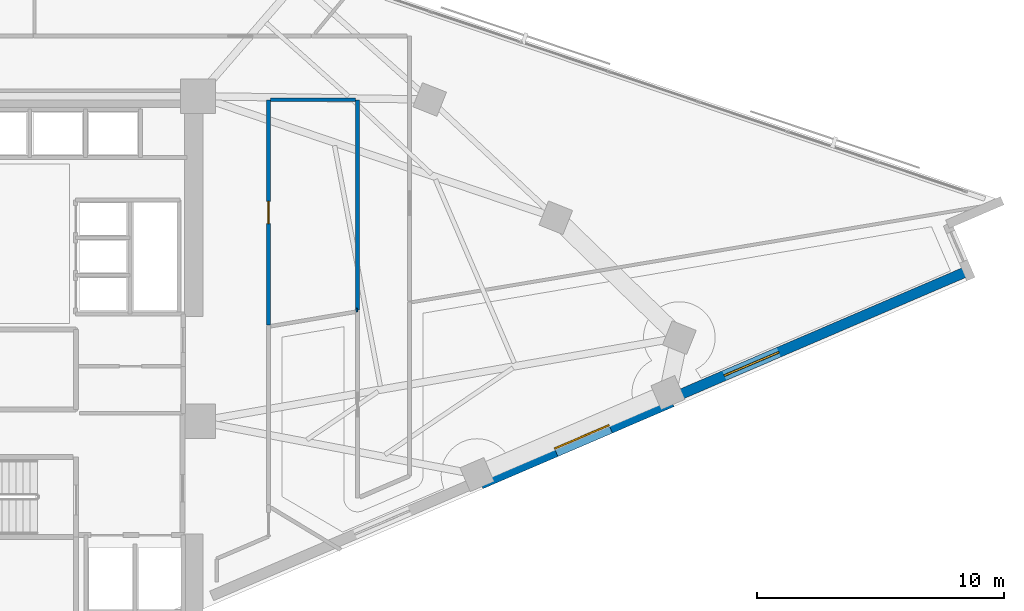
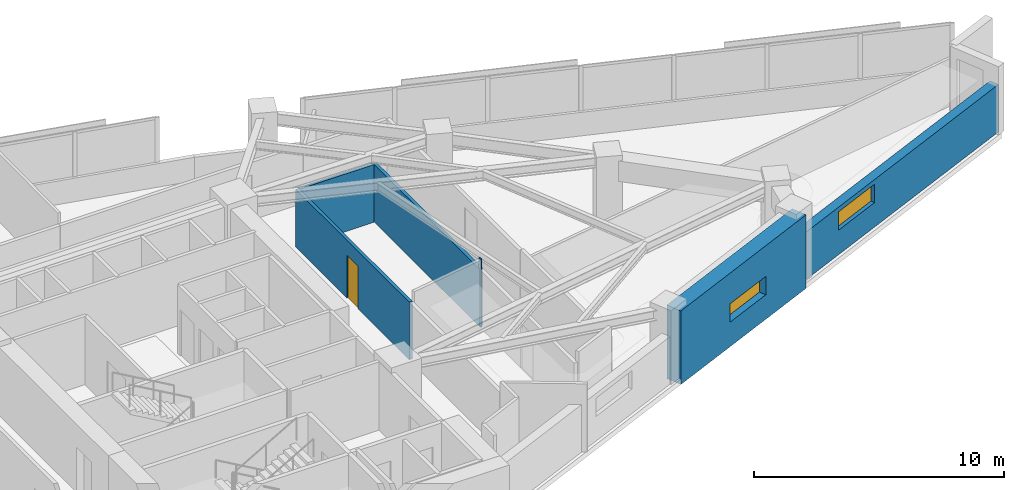
# One storey, part 11 of 14: 6 walls, 2 windows, 1 door, 3 openings.
"""IFC4 building model written with IfcOpenShell, lengths in metres."""

from ifc_helpers import new_model, si_unit, direction, frame, frame_2d, origin, place, context, subcontext, project, spatial, rectangle, extrude, material, layer, layer_set, type_object, element, fill, save


model = new_model("IFC4")

# Units and contexts
model_context = context("Model", 3, precision=1e-05, world=origin(), true_north=direction((0.0, 1.0)))
body_context = subcontext(model_context, "Body", "Model", "MODEL_VIEW")
ifc_project = project(units=[si_unit("LENGTHUNIT", "METRE"), si_unit("AREAUNIT", "SQUARE_METRE"), si_unit("VOLUMEUNIT", "CUBIC_METRE"), si_unit("PLANEANGLEUNIT", "RADIAN"), si_unit("MASSUNIT", "GRAM", prefix="KILO")], contexts=[model_context])

# Site, building, storey
site_placement = place(None, origin())
site = spatial("IfcSite", under=ifc_project, at=site_placement, CompositionType="ELEMENT")
building_placement = place(site_placement, origin())
building = spatial("IfcBuilding", under=site, at=building_placement, Name="Narakoshi Arena Tower", CompositionType="ELEMENT")
storey_placement = place(building_placement, frame((0.0, 0.0, 168.300048828125)))
storey = spatial("IfcBuildingStorey", under=building, at=storey_placement, Name="L45", CompositionType="ELEMENT", Elevation=168.300048828125)

# Wall, opening, window
ifc_material_1 = material(Name="Concrete C60/75", Category="concrete")
ifc_layer_1 = layer(ifc_material_1, 0.699951171875)
ifc_layer_set_1 = layer_set([ifc_layer_1], Name="Concrete C60/75")
wall_type_1 = type_object("IfcWallType", Name="WL-LEG-700", PredefinedType="SHEAR", material=ifc_layer_set_1)
wall_1_placement = place(storey_placement, frame((96.936767578125, 40.951904296875, -0.260009765625), z_axis=(0.0, 0.0, 1.0), x_axis=(0.918782407933, 0.394764343468, 0.0)))
wall_1 = element("IfcWall", 1, at=wall_1_placement, inside=storey, type_object=wall_type_1, Name="L45 Architectural Concrete Structural Wall LEGA-3", PredefinedType="SHEAR", context=body_context, shape_type="SweptSolid", body=[
    extrude(rectangle(XDim=8.401611328125, YDim=0.699951171875, at=frame_2d((4.20068359375, 0.0))), origin(), (0.0, 0.0, 1.0), 3.599853515625),
])
opening_1_placement = place(wall_1_placement, frame((3.2939453125, 0.0, 1.199951171875)))
opening_1 = element("IfcOpeningElement", 2, at=opening_1_placement, cuts=wall_1, Name="Opening WN-01", PredefinedType="OPENING", context=body_context, shape_type="SweptSolid", body=[
    extrude(rectangle(XDim=2.39990234375, YDim=0.89990234375, at=frame_2d((1.199951171875, 0.449951171875))), frame((0.0, 0.35986328125, 0.0), z_axis=(0.0, -1.0, 0.0), x_axis=(1.0, 0.0, 0.0)), (0.0, 0.0, 1.0), 0.719970703125),
])
ifc_material_2 = material(Name="Bronze-tinted low-E laminated glass", Category="glass")
window_type = type_object("IfcWindowType", Name="WIN-SLT-24x09", PartitioningType="SINGLE_PANEL", PredefinedType="WINDOW", material=ifc_material_2)
window_1_placement = place(opening_1_placement, origin())
window_1 = element("IfcWindow", 3, at=window_1_placement, inside=storey, type_object=window_type, Name="L45 LEGA3 Horizontal Slot Window 1", OverallHeight=0.89990234375, OverallWidth=2.39990234375, PartitioningType="SINGLE_PANEL", PredefinedType="WINDOW", context=body_context, shape_type="SweptSolid", body=[
    extrude(rectangle(XDim=2.39990234375, YDim=0.89990234375, at=frame_2d((1.199951171875, 0.449951171875))), frame((0.0, 0.030029296875, 0.0), z_axis=(0.0, -1.0, 0.0), x_axis=(1.0, 0.0, 0.0)), (0.0, 0.0, 1.0), 0.06005859375),
])
fill(opening_1, window_1)

ifc_material_3 = material(Name="Precast concrete C45/55", Category="concrete")
ifc_layer_2 = layer(ifc_material_3, 0.419921875)
ifc_layer_set_2 = layer_set([ifc_layer_2], Name="Precast concrete C45/55")
wall_type_2 = type_object("IfcWallType", Name="WL-POD-420", PredefinedType="SOLIDWALL", material=ifc_layer_set_2)
wall_2_placement = place(storey_placement, frame((104.656005859375, 44.2685546875, 0.0), z_axis=(0.0, 0.0, 1.0), x_axis=(0.918789071809, 0.394748833467, 0.0)))
wall_2 = element("IfcWall", 4, at=wall_2_placement, inside=storey, type_object=wall_type_2, Name="L45 Architectural Concrete Facade Wall LEGA-4", PredefinedType="SOLIDWALL", context=body_context, shape_type="SweptSolid", body=[
    extrude(rectangle(XDim=13.06884765625, YDim=0.419921875, at=frame_2d((6.534423828125, 0.0))), origin(), (0.0, 0.0, 1.0), 2.324951171875),
])
opening_2_placement = place(wall_2_placement, frame((2.362060546875, 0.0, 1.199951171875)))
opening_2 = element("IfcOpeningElement", 5, at=opening_2_placement, cuts=wall_2, Name="Opening WN-01", PredefinedType="OPENING", context=body_context, shape_type="SweptSolid", body=[
    extrude(rectangle(XDim=2.39990234375, YDim=0.89990234375, at=frame_2d((1.199951171875, 0.449951171875))), frame((0.0, 0.219970703125, 0.0), z_axis=(0.0, -1.0, 0.0), x_axis=(1.0, 0.0, 0.0)), (0.0, 0.0, 1.0), 0.43994140625),
])
window_2_placement = place(opening_2_placement, origin())
window_2 = element("IfcWindow", 6, at=window_2_placement, inside=storey, type_object=window_type, Name="L45 LEGA4 Horizontal Slot Window 1", OverallHeight=0.89990234375, OverallWidth=2.39990234375, PartitioningType="SINGLE_PANEL", PredefinedType="WINDOW", context=body_context, shape_type="SweptSolid", body=[
    extrude(rectangle(XDim=2.39990234375, YDim=0.89990234375, at=frame_2d((1.199951171875, 0.449951171875))), frame((0.0, 0.030029296875, 0.0), z_axis=(0.0, -1.0, 0.0), x_axis=(1.0, 0.0, 0.0)), (0.0, 0.0, 1.0), 0.06005859375),
])
fill(opening_2, window_2)

# Wall, opening, door
ifc_material_4 = material(Name="Moisture-resistant cement-board partition")
ifc_layer_3 = layer(ifc_material_4, 0.14501953125)
ifc_layer_set_3 = layer_set([ifc_layer_3], Name="Moisture-resistant cement-board partition")
wall_type_3 = type_object("IfcWallType", Name="WL-WET-145", PredefinedType="PARTITIONING", material=ifc_layer_set_3)
wall_3_placement = place(storey_placement, frame((88.39990234375, 47.244384765625, 0.0), z_axis=(0.0, 0.0, 1.0), x_axis=(0.0, 1.0, 0.0)))
wall_3 = element("IfcWall", 7, at=wall_3_placement, inside=storey, type_object=wall_type_3, Name="L45 Corridor Partition 06-1", PredefinedType="PARTITIONING", context=body_context, shape_type="SweptSolid", body=[
    extrude(rectangle(XDim=9.105712890625, YDim=0.14501953125, at=frame_2d((4.552734375, 0.0))), origin(), (0.0, 0.0, 1.0), 2.824951171875),
])
opening_3_placement = place(wall_3_placement, frame((4.102783203125, 0.0, 0.0)))
opening_3 = element("IfcOpeningElement", 8, at=opening_3_placement, cuts=wall_3, Name="Opening D-08", PredefinedType="OPENING", context=body_context, shape_type="SweptSolid", body=[
    extrude(rectangle(XDim=0.89990234375, YDim=2.10009765625, at=frame_2d((0.449951171875, 1.050048828125))), frame((0.0, 0.08251953125, 0.0), z_axis=(0.0, -1.0, 0.0), x_axis=(1.0, 0.0, 0.0)), (0.0, 0.0, 1.0), 0.1650390625),
])
ifc_material_5 = material(Name="Moisture-resistant laminate timber", Category="wood")
door_type = type_object("IfcDoorType", Name="DR-WC-900", OperationType="NOTDEFINED", PredefinedType="DOOR", material=ifc_material_5)
door_placement = place(opening_3_placement, frame((0.89990234375, 0.0, 0.0), z_axis=(0.0, 0.0, 1.0), x_axis=(-1.0, 0.0, 0.0)))
door = element("IfcDoor", 9, at=door_placement, inside=storey, type_object=door_type, Name="DR-L45-018", OperationType="SINGLE_SWING_LEFT", OverallHeight=2.10009765625, OverallWidth=0.89990234375, PredefinedType="DOOR", context=body_context, shape_type="SweptSolid", body=[
    extrude(rectangle(XDim=0.89990234375, YDim=2.10009765625, at=frame_2d((0.449951171875, 1.050048828125))), frame((0.0, 0.02490234375, 0.0), z_axis=(0.0, -1.0, 0.0), x_axis=(1.0, 0.0, 0.0)), (0.0, 0.0, 1.0), 0.050048828125),
])
fill(opening_3, door)

# Walls
wall_4_placement = place(storey_placement, frame((91.996337890625, 56.35009765625, 0.0), z_axis=(0.0, 0.0, 1.0), x_axis=(0.0, -1.0, 0.0)))
element("IfcWall", 10, at=wall_4_placement, inside=storey, type_object=wall_type_3, Name="L45 Corridor Partition 06-2", PredefinedType="PARTITIONING", context=body_context, shape_type="SweptSolid", body=[
    extrude(rectangle(XDim=8.494140625, YDim=0.14501953125, at=frame_2d((4.2470703125, 0.0))), origin(), (0.0, 0.0, 1.0), 2.824951171875),
])
wall_5_placement = place(storey_placement, frame((88.484619140625, 56.35009765625, 0.0), z_axis=(0.0, 0.0, 1.0), x_axis=(1.0, 0.0, 0.0)))
element("IfcWall", 11, at=wall_5_placement, inside=storey, type_object=wall_type_3, Name="L45 Corridor Partition 06-3", PredefinedType="PARTITIONING", context=body_context, shape_type="SweptSolid", body=[
    extrude(rectangle(XDim=3.42724609375, YDim=0.14501953125, at=frame_2d((1.713623046875, 0.0))), origin(), (0.0, 0.0, 1.0), 2.824951171875),
])
wall_6_placement = place(storey_placement, frame((91.996337890625, 47.85595703125, 0.0), z_axis=(0.0, 0.0, 1.0), x_axis=(-0.98573642551, -0.168296462892, 0.0)))
element("IfcWall", 12, at=wall_6_placement, inside=storey, type_object=wall_type_3, Name="L45 Corridor Partition 06-4", PredefinedType="PARTITIONING", context=body_context, shape_type="SweptSolid", body=[
    extrude(rectangle(XDim=0.06103515625, YDim=0.14501953125, at=frame_2d((0.030517578125, 0.0))), origin(), (0.0, 0.0, 1.0), 3.33984375),
])

save(model, "model.ifc")
